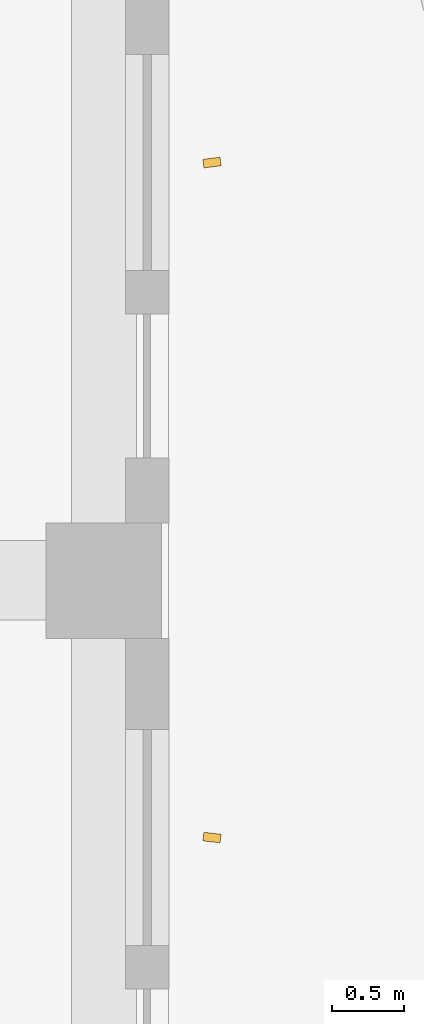
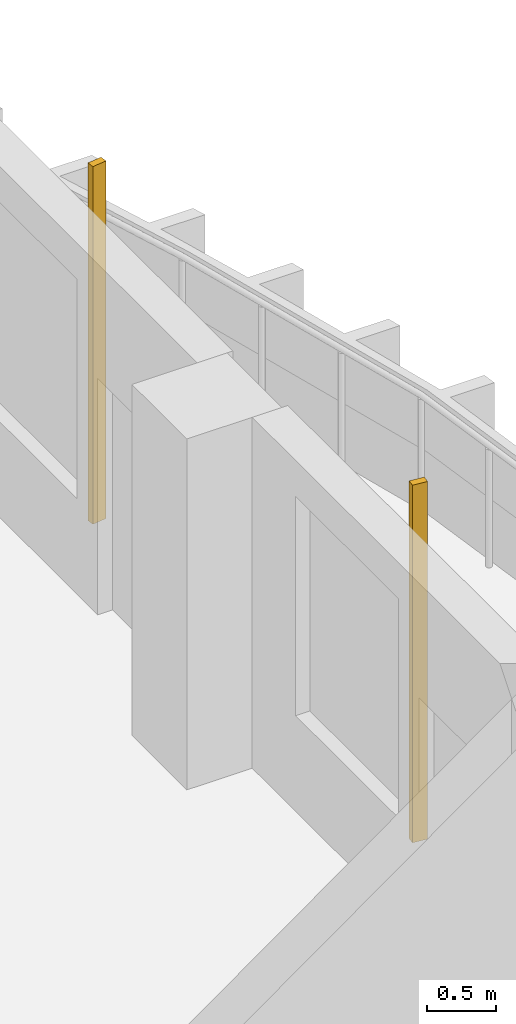
# One storey, part 19 of 21: 2 shading devices.
"""IFC4 building model written with IfcOpenShell, lengths in metres."""

from ifc_helpers import new_model, si_unit, direction, frame, origin, origin_2d, place, context, subcontext, project, spatial, rectangle, extrude, source, transform, mapped, material, material_profile, profile_set, type_object, element, save


model = new_model("IFC4")

# Units and contexts
model_context = context("Model", 3, precision=1e-05, world=origin(), true_north=direction((0.0, 1.0)))
body_context = subcontext(model_context, "Body", "Model", "MODEL_VIEW")
ifc_project = project(units=[si_unit("LENGTHUNIT", "METRE"), si_unit("AREAUNIT", "SQUARE_METRE"), si_unit("VOLUMEUNIT", "CUBIC_METRE"), si_unit("PLANEANGLEUNIT", "RADIAN"), si_unit("MASSUNIT", "GRAM", prefix="KILO")], contexts=[model_context])

# Site, building, storey
site_placement = place(None, origin())
site = spatial("IfcSite", under=ifc_project, at=site_placement, CompositionType="ELEMENT")
building_placement = place(site_placement, origin())
building = spatial("IfcBuilding", under=site, at=building_placement, Name="Kilnfold Tower and Market Hall", CompositionType="ELEMENT")
storey_placement = place(building_placement, frame((0.0, 0.0, 182.10009765625)))
storey = spatial("IfcBuildingStorey", under=building, at=storey_placement, Name="L43", CompositionType="ELEMENT", Elevation=182.10009765625)

# Shading devices
ifc_material = material(Name="Terracotta", Category="masonry")
ifc_material_profile = material_profile(ifc_material, rectangle(XDim=0.06005859375, YDim=0.1201171875, at=origin_2d()), Name="BAG 60x120")
ifc_profile_set = profile_set([ifc_material_profile], Name="Terracotta")
shading_device_type = type_object("IfcShadingDeviceType", Name="BAGUETTE", PredefinedType="USERDEFINED", material=ifc_profile_set)
shared_shape = source(origin(), body_context, "Body", "SweptSolid", [
    extrude(rectangle(XDim=0.06005859375, YDim=0.1201171875, at=origin_2d()), origin(), (0.0, 0.0, 1.0), 3.179931640625),
])
for number, where, z_axis, x_axis, name in (
    (1, (25.550048828125, -2.34375, 0.0), (0.0, 0.0, 1.0), (0.114664945462, 0.993404223004, 0.0), "Terracotta baguette L43 E"),
    (2, (25.550048828125, 2.33740234375, 0.0), (0.0, 0.0, 1.0), (-0.126193775008, 0.992005610442, 0.0), "Terracotta baguette L43 E"),
):
    element("IfcShadingDevice", number, at=place(storey_placement, frame(where, z_axis=z_axis, x_axis=x_axis)), inside=storey, type_object=shading_device_type, Name=name, ObjectType="BAGUETTE", PredefinedType="USERDEFINED", context=body_context, shape_type="MappedRepresentation", body=[
        mapped(shared_shape, transform((0.0, 0.0, 0.0))),
    ])

save(model, "model.ifc")
